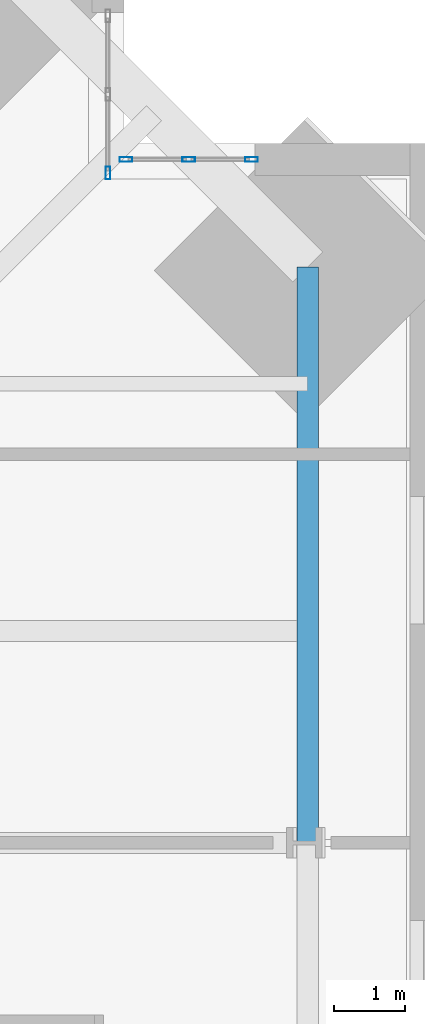
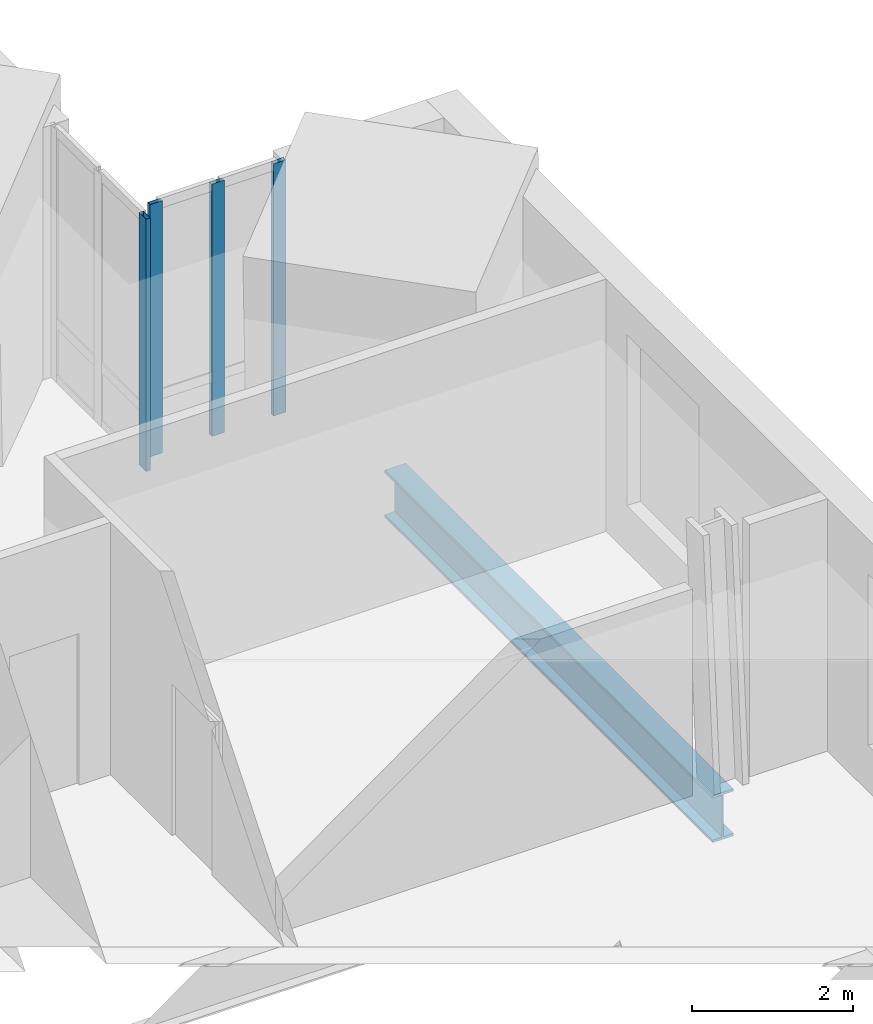
# One storey, part 9 of 17: 4 members, 1 beam, 2 elements without a shape of their own.
"""IFC4 building model written with IfcOpenShell, lengths in metres."""

from ifc_helpers import new_model, si_unit, direction, frame, origin, origin_2d, place, context, subcontext, project, spatial, hollow_rectangle, i_section, extrude, material, material_profile, profile_set, type_object, element, aggregate, save


model = new_model("IFC4")

# Units and contexts
model_context = context("Model", 3, precision=1e-05, world=origin(), true_north=direction((0.0, 1.0)))
body_context = subcontext(model_context, "Body", "Model", "MODEL_VIEW")
ifc_project = project(units=[si_unit("LENGTHUNIT", "METRE"), si_unit("AREAUNIT", "SQUARE_METRE"), si_unit("VOLUMEUNIT", "CUBIC_METRE"), si_unit("PLANEANGLEUNIT", "RADIAN"), si_unit("MASSUNIT", "GRAM", prefix="KILO")], contexts=[model_context])

# Site, building, storey
site_placement = place(None, origin())
site = spatial("IfcSite", under=ifc_project, at=site_placement, CompositionType="ELEMENT")
building_placement = place(site_placement, origin())
building = spatial("IfcBuilding", under=site, at=building_placement, Name="Peilmerk Tower", CompositionType="ELEMENT")
storey_placement = place(building_placement, frame((0.0, 0.0, 257.800048828125)))
storey = spatial("IfcBuildingStorey", under=building, at=storey_placement, Name="L57", CompositionType="ELEMENT", Elevation=257.800048828125)

# Beam
ifc_material_1 = material(Name="Steel S355", Category="steel")
ifc_material_profile_1 = material_profile(ifc_material_1, i_section(OverallWidth=0.303955078125, OverallDepth=0.716064453125, WebThickness=0.02099609375, FlangeThickness=0.0400390625, at=origin_2d()), Name="HEM 700")
ifc_profile_set_1 = profile_set([ifc_material_profile_1], Name="Steel S355")
beam_type = type_object("IfcBeamType", Name="B30 HEM 700 edge beam", PredefinedType="SPANDREL", material=ifc_profile_set_1)
beam_placement = place(storey_placement, frame((20.501708984375, 8.0, -0.528076171875), z_axis=(0.0, 1.0, 0.0), x_axis=(-1.0, 0.0, 0.0)))
element("IfcBeam", 1, at=beam_placement, inside=storey, type_object=beam_type, Name="Edge beam L57", PredefinedType="SPANDREL", context=body_context, shape_type="SweptSolid", body=[
    extrude(i_section(OverallWidth=0.303955078125, OverallDepth=0.716064453125, WebThickness=0.02099609375, FlangeThickness=0.0400390625, at=origin_2d()), origin(), (0.0, 0.0, 1.0), 8.151611328125),
])

# Curtain wall, member
ifc_material_2 = material(Name="Aluminium stick curtain wall", Category="aluminium")
curtain_wall_type = type_object("IfcCurtainWallType", Name="CW4 stick curtain wall, 2250 module", PredefinedType="NOTDEFINED", material=ifc_material_2)
curtain_wall_1_placement = place(storey_placement, origin())
curtain_wall_1 = element("IfcCurtainWall", 2, at=curtain_wall_1_placement, inside=storey, type_object=curtain_wall_type, Name="Curtain wall CW4 NEA L57", PredefinedType="NOTDEFINED")
ifc_material_3 = material(Name="Aluminium EN AW-6063 T6", Category="aluminium")
ifc_material_profile_2 = material_profile(ifc_material_3, hollow_rectangle(XDim=0.06494140625, YDim=0.179931640625, WallThickness=0.0029296875, at=origin_2d()), Name="AL 180x65x3")
ifc_profile_set_2 = profile_set([ifc_material_profile_2], Name="Aluminium EN AW-6063 T6")
member_type = type_object("IfcMemberType", Name="CW4-M AL 180x65x3 mullion", PredefinedType="MULLION", material=ifc_profile_set_2)
member_1_placement = place(storey_placement, frame((17.675048828125, 17.482421875, 0.0), z_axis=(0.0, 0.0, 1.0), x_axis=(-1.0, 0.0, 0.0)))
member_1 = element("IfcMember", 3, at=member_1_placement, type_object=member_type, Name="CW4 mullion 1", PredefinedType="MULLION", context=body_context, shape_type="SweptSolid", body=[
    extrude(hollow_rectangle(XDim=0.06494140625, YDim=0.179931640625, WallThickness=0.0029296875, at=origin_2d()), origin(), (0.0, 0.0, 1.0), 3.829833984375),
])
aggregate(curtain_wall_1, [member_1])

# Curtain wall, members
curtain_wall_2_placement = place(storey_placement, origin())
curtain_wall_2 = element("IfcCurtainWall", 4, at=curtain_wall_2_placement, inside=storey, type_object=curtain_wall_type, Name="Curtain wall CW4 NEB L57", PredefinedType="NOTDEFINED")
member_2_placement = place(storey_placement, frame((17.9326171875, 17.675048828125, 0.0), z_axis=(0.0, 0.0, 1.0), x_axis=(0.0, 1.0, 0.0)))
member_2 = element("IfcMember", 5, at=member_2_placement, type_object=member_type, Name="CW4 mullion 1", PredefinedType="MULLION", context=body_context, shape_type="SweptSolid", body=[
    extrude(hollow_rectangle(XDim=0.06494140625, YDim=0.179931640625, WallThickness=0.0029296875, at=origin_2d()), origin(), (0.0, 0.0, 1.0), 3.829833984375),
])
member_3_placement = place(storey_placement, frame((18.8193359375, 17.675048828125, 0.0), z_axis=(0.0, 0.0, 1.0), x_axis=(0.0, 1.0, 0.0)))
member_3 = element("IfcMember", 6, at=member_3_placement, type_object=member_type, Name="CW4 mullion 2", PredefinedType="MULLION", context=body_context, shape_type="SweptSolid", body=[
    extrude(hollow_rectangle(XDim=0.06494140625, YDim=0.179931640625, WallThickness=0.0029296875, at=origin_2d()), origin(), (0.0, 0.0, 1.0), 3.829833984375),
])
member_4_placement = place(storey_placement, frame((19.706298828125, 17.675048828125, 0.0), z_axis=(0.0, 0.0, 1.0), x_axis=(0.0, 1.0, 0.0)))
member_4 = element("IfcMember", 7, at=member_4_placement, type_object=member_type, Name="CW4 mullion 3", PredefinedType="MULLION", context=body_context, shape_type="SweptSolid", body=[
    extrude(hollow_rectangle(XDim=0.06494140625, YDim=0.179931640625, WallThickness=0.0029296875, at=origin_2d()), origin(), (0.0, 0.0, 1.0), 3.829833984375),
])
aggregate(curtain_wall_2, [member_2, member_3, member_4])

save(model, "model.ifc")
